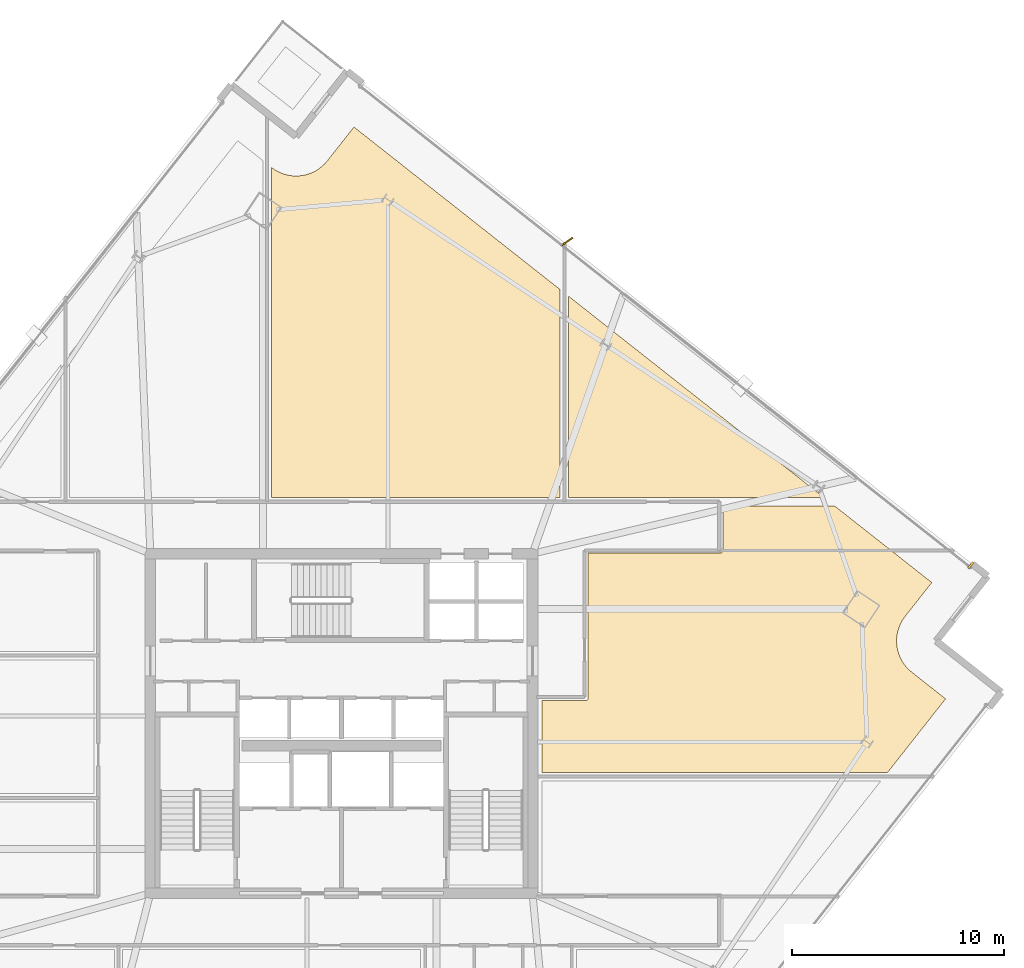
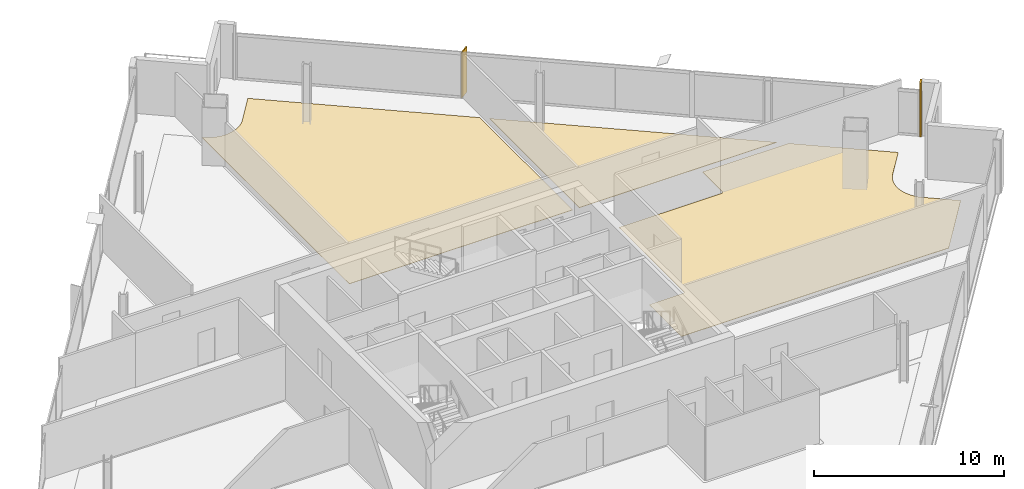
# One storey, part 28 of 28: 4 coverings, 1 shading device.
"""IFC4 building model written with IfcOpenShell, lengths in metres."""

from ifc_helpers import new_model, si_unit, direction, frame, origin, origin_2d, place, context, subcontext, project, spatial, polyline, rectangle, outline, extrude, source, transform, mapped, material, layer, layer_set, type_object, element, save


model = new_model("IFC4")

# Units and contexts
model_context = context("Model", 3, precision=1e-05, world=origin(), true_north=direction((0.0, 1.0)))
body_context = subcontext(model_context, "Body", "Model", "MODEL_VIEW")
ifc_project = project(units=[si_unit("LENGTHUNIT", "METRE"), si_unit("AREAUNIT", "SQUARE_METRE"), si_unit("VOLUMEUNIT", "CUBIC_METRE"), si_unit("PLANEANGLEUNIT", "RADIAN"), si_unit("MASSUNIT", "GRAM", prefix="KILO")], contexts=[model_context])

# Site, building, storey
site_placement = place(None, origin())
site = spatial("IfcSite", under=ifc_project, at=site_placement, CompositionType="ELEMENT")
building_placement = place(site_placement, origin())
building = spatial("IfcBuilding", under=site, at=building_placement, Name="Haldenkirk Collegiate Tower", CompositionType="ELEMENT")
storey_placement = place(building_placement, frame((0.0, 0.0, 202.199951171875)))
storey = spatial("IfcBuildingStorey", under=building, at=storey_placement, Name="L50", CompositionType="ELEMENT", Elevation=202.199951171875)

# Coverings
ifc_material_1 = material(Name="Polished collegiate terrazzo", Category="concrete")
ifc_layer_1 = layer(ifc_material_1, 0.02490234375)
ifc_layer_set_1 = layer_set([ifc_layer_1], Name="Polished collegiate terrazzo")
covering_type_1 = type_object("IfcCoveringType", Name="COV-FLOOR-TERRAZZO", PredefinedType="FLOORING", material=ifc_layer_set_1)
covering_1_placement = place(storey_placement, origin())
element("IfcCovering", 1, at=covering_1_placement, inside=storey, type_object=covering_type_1, Name="L50 academic room finish 06", PredefinedType="FLOORING", context=body_context, shape_type="SweptSolid", body=[
    extrude(outline(polyline([(58.720947265625, 36.64990234375), (46.699951171875, 36.64990234375), (46.699951171875, 46.12646484375), (58.720947265625, 36.64990234375)])), origin(), (0.0, 0.0, 1.0), 0.025146484375),
])
ifc_material_2 = material(Name="Engineered collegiate oak acoustic flooring", Category="wood")
ifc_layer_2 = layer(ifc_material_2, 0.02197265625)
ifc_layer_set_2 = layer_set([ifc_layer_2], Name="Engineered collegiate oak acoustic flooring")
covering_type_2 = type_object("IfcCoveringType", Name="COV-FLOOR-TIMBER", PredefinedType="FLOORING", material=ifc_layer_set_2)
covering_2_placement = place(storey_placement, origin())
element("IfcCovering", 2, at=covering_2_placement, inside=storey, type_object=covering_type_2, Name="L50 academic room finish 05", PredefinedType="FLOORING", context=body_context, shape_type="SweptSolid", body=[
    extrude(outline(polyline([(32.7080078125, 52.19091796875), (32.712646484375, 52.187255859375), (32.8525390625, 52.087646484375), (32.8623046875, 52.081298828125), (33.011474609375, 51.99609375), (33.02197265625, 51.990478515625), (33.1787109375, 51.92041015625), (33.189697265625, 51.916015625), (33.352294921875, 51.861328125), (33.36376953125, 51.858154296875), (33.53125, 51.819580078125), (33.542724609375, 51.817626953125), (33.712890625, 51.7958984375), (33.724609375, 51.794921875), (33.896484375, 51.789794921875), (33.908203125, 51.7900390625), (34.07958984375, 51.8017578125), (34.09130859375, 51.80322265625), (34.2607421875, 51.831787109375), (34.272216796875, 51.834228515625), (34.437744140625, 51.87939453125), (34.448974609375, 51.8828125), (34.609619140625, 51.94384765625), (34.620361328125, 51.948486328125), (34.774169921875, 52.02490234375), (34.784423828125, 52.03076171875), (34.929931640625, 52.1220703125), (34.939697265625, 52.128662109375), (35.07568359375, 52.233642578125), (35.08447265625, 52.241455078125), (35.20947265625, 52.359130859375), (35.217529296875, 52.36767578125), (35.330322265625, 52.497314453125), (35.333984375, 52.501708984375), (36.5908203125, 54.095947265625), (46.300048828125, 46.44189453125), (46.300048828125, 36.64990234375), (32.699951171875, 36.64990234375), (32.699951171875, 52.197021484375), (32.7080078125, 52.19091796875)])), origin(), (0.0, 0.0, 1.0), 0.02197265625),
])
covering_3_placement = place(storey_placement, origin())
element("IfcCovering", 3, at=covering_3_placement, inside=storey, type_object=covering_type_2, Name="L50 academic room finish 11", PredefinedType="FLOORING", context=body_context, shape_type="SweptSolid", body=[
    extrude(outline(polyline([(62.55322265625, 31.0439453125), (62.549560546875, 31.039306640625), (62.449951171875, 30.8994140625), (62.443603515625, 30.889404296875), (62.3583984375, 30.740478515625), (62.352783203125, 30.729736328125), (62.28271484375, 30.572998046875), (62.2783203125, 30.562255859375), (62.2236328125, 30.3994140625), (62.220458984375, 30.387939453125), (62.181884765625, 30.220703125), (62.179931640625, 30.208984375), (62.158203125, 30.038818359375), (62.1572265625, 30.027099609375), (62.152099609375, 29.85546875), (62.15234375, 29.843505859375), (62.1640625, 29.67236328125), (62.16552734375, 29.660400390625), (62.194091796875, 29.4912109375), (62.196533203125, 29.479736328125), (62.24169921875, 29.31396484375), (62.2451171875, 29.302734375), (62.30615234375, 29.142333984375), (62.310791015625, 29.131591796875), (62.38720703125, 28.977783203125), (62.39306640625, 28.96728515625), (62.484375, 28.82177734375), (62.490966796875, 28.81201171875), (62.595947265625, 28.67626953125), (62.603759765625, 28.667236328125), (62.721435546875, 28.54248046875), (62.72998046875, 28.5341796875), (62.859619140625, 28.42138671875), (62.864013671875, 28.417724609375), (64.458251953125, 27.160888671875), (61.72998046875, 23.699951171875), (45.449951171875, 23.699951171875), (45.449951171875, 27.080078125), (47.5, 27.080078125), (47.51171875, 27.08056640625), (47.5234375, 27.082275390625), (47.534912109375, 27.085205078125), (47.5458984375, 27.089111328125), (47.556640625, 27.09423828125), (47.566650390625, 27.10009765625), (47.576171875, 27.107177734375), (47.5849609375, 27.114990234375), (47.5927734375, 27.123779296875), (47.599853515625, 27.13330078125), (47.605712890625, 27.143310546875), (47.61083984375, 27.154052734375), (47.61474609375, 27.165283203125), (47.61767578125, 27.176513671875), (47.619384765625, 27.188232421875), (47.6201171875, 27.199951171875), (47.6201171875, 34.030029296875), (53.85009765625, 34.030029296875), (53.86181640625, 34.030517578125), (53.873291015625, 34.0322265625), (53.884765625, 34.03515625), (53.89599609375, 34.0390625), (53.906494140625, 34.044189453125), (53.916748046875, 34.05029296875), (53.926025390625, 34.05712890625), (53.934814453125, 34.065185546875), (53.94287109375, 34.073974609375), (53.94970703125, 34.083251953125), (53.955810546875, 34.093505859375), (53.9609375, 34.10400390625), (53.96484375, 34.115234375), (53.9677734375, 34.126708984375), (53.969482421875, 34.13818359375), (53.969970703125, 34.14990234375), (53.969970703125, 36.25), (59.228515625, 36.25), (63.81005859375, 32.63818359375), (62.55322265625, 31.0439453125)])), origin(), (0.0, 0.0, 1.0), 0.02197265625),
])
ifc_material_3 = material(Name="Anodised architectural bronze aluminium", Category="aluminium")
ifc_layer_3 = layer(ifc_material_3, 0.06005859375)
ifc_layer_set_3 = layer_set([ifc_layer_3], Name="Anodised architectural bronze aluminium")
covering_type_3 = type_object("IfcCoveringType", Name="COV-CLAD-BRONZE-60", PredefinedType="CLADDING", material=ifc_layer_set_3)
shared_shape_1 = source(origin(), body_context, "Body", "SweptSolid", [
    extrude(rectangle(XDim=0.10009765625, YDim=0.3798828125, at=origin_2d()), origin(), (0.0, 0.0, 1.0), 3.469970703125),
])
covering_4_placement = place(storey_placement, frame((65.650146484375, 33.4541015625, 0.0), z_axis=(0.0, 0.0, 1.0), x_axis=(0.785316930881, -0.61909394931, 0.0)))
element("IfcCovering", 4, at=covering_4_placement, inside=storey, type_object=covering_type_3, Name="L50 recessed curtain-wall bronze jamb closure EJR", PredefinedType="CLADDING", context=body_context, shape_type="MappedRepresentation", body=[
    mapped(shared_shape_1, transform((0.0, 0.0, 0.0), x_axis=(1.0, 0.0, 0.0), y_axis=(0.0, 1.0, 0.0), z_axis=(0.0, 0.0, 1.0), scale=1.0)),
])

# Shading device
ifc_layer_4 = layer(ifc_material_3, 0.06494140625)
ifc_layer_set_4 = layer_set([ifc_layer_4], Name="Anodised architectural bronze aluminium")
shading_device_type = type_object("IfcShadingDeviceType", Name="SHD-FIN-BRONZE-620", PredefinedType="USERDEFINED", material=ifc_layer_set_4)
shared_shape_2 = source(origin(), body_context, "Body", "SweptSolid", [
    extrude(rectangle(XDim=0.6201171875, YDim=0.06494140625, at=origin_2d()), origin(), (0.0, 0.0, 1.0), 2.927978515625),
])
shading_device_placement = place(storey_placement, frame((46.638916015625, 48.702392578125, 0.0), z_axis=(0.0, 0.0, 1.0), x_axis=(0.811573981965, 0.584249665637, 0.0)))
element("IfcShadingDevice", 5, at=shading_device_placement, inside=storey, type_object=shading_device_type, Name="L50 folded bronze solar fin 1", ObjectType="FIN", PredefinedType="USERDEFINED", context=body_context, shape_type="MappedRepresentation", body=[
    mapped(shared_shape_2, transform((0.0, 0.0, 0.0), x_axis=(1.0, 0.0, 0.0), y_axis=(0.0, 1.0, 0.0), z_axis=(0.0, 0.0, 1.0), scale=1.0)),
])

save(model, "model.ifc")
